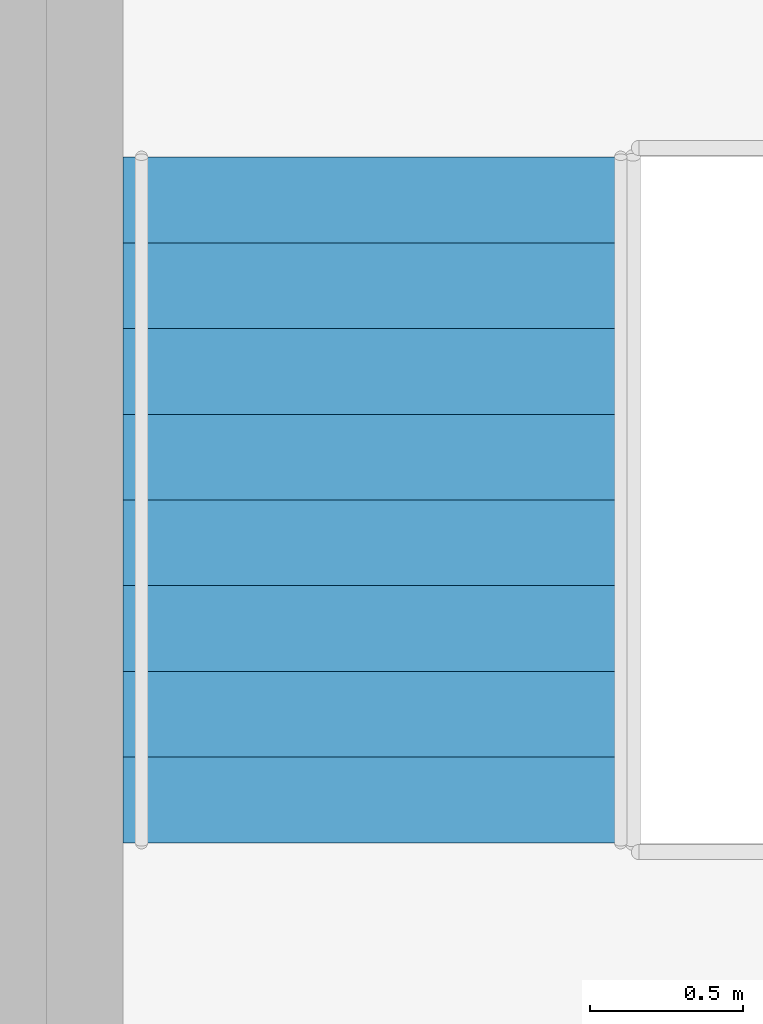
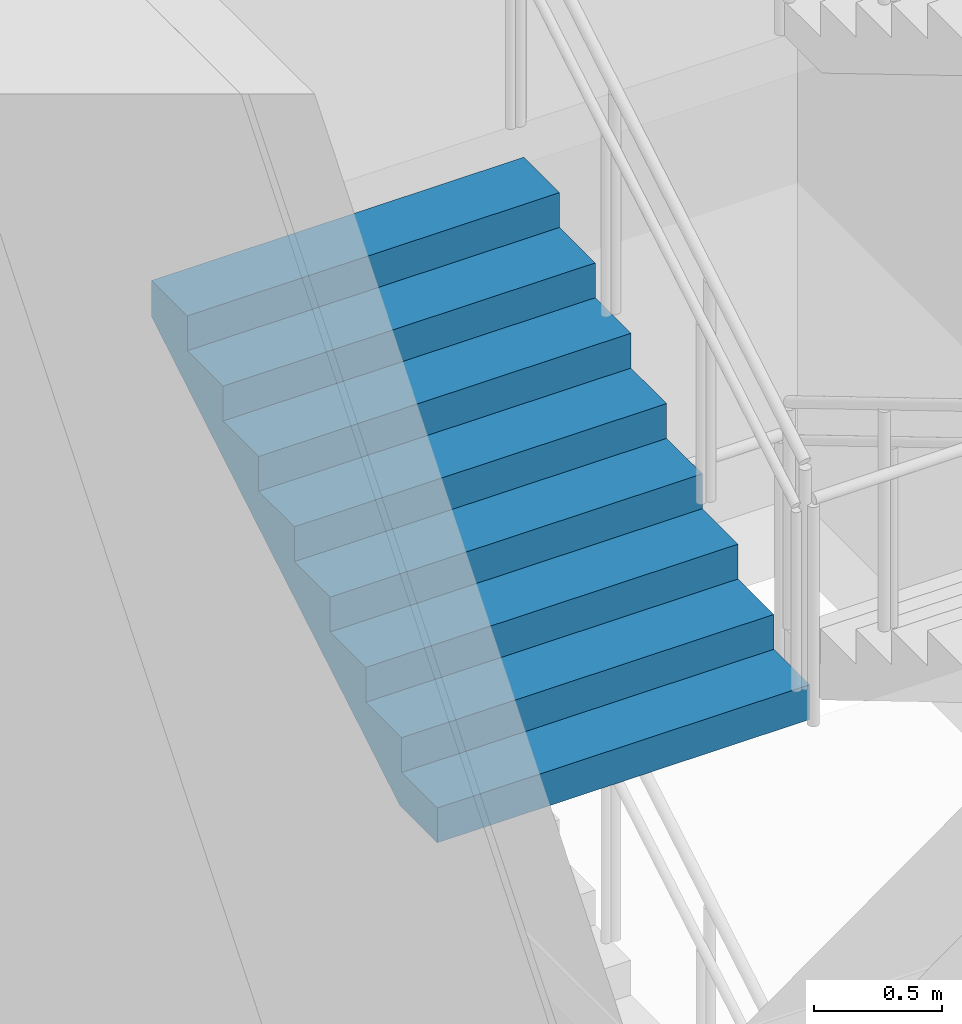
# One storey, part 36 of 57: 1 stair flight, 1 element without a shape of its own.
"""IFC4 building model written with IfcOpenShell, lengths in metres."""

from ifc_helpers import new_model, si_unit, direction, frame, origin, place, context, subcontext, project, spatial, triangles, material, type_object, element, aggregate, save


model = new_model("IFC4")

# Units and contexts
model_context = context("Model", 3, precision=1e-05, world=origin(), true_north=direction((0.0, 1.0)))
body_context = subcontext(model_context, "Body", "Model", "MODEL_VIEW")
ifc_project = project(units=[si_unit("LENGTHUNIT", "METRE"), si_unit("AREAUNIT", "SQUARE_METRE"), si_unit("VOLUMEUNIT", "CUBIC_METRE"), si_unit("PLANEANGLEUNIT", "RADIAN"), si_unit("MASSUNIT", "GRAM", prefix="KILO")], contexts=[model_context])

# Site, building, storey
site_placement = place(None, origin())
site = spatial("IfcSite", under=ifc_project, at=site_placement, CompositionType="ELEMENT")
building_placement = place(site_placement, origin())
building = spatial("IfcBuilding", under=site, at=building_placement, Name="Orbita Commons", CompositionType="ELEMENT")
storey_placement = place(building_placement, origin())
storey = spatial("IfcBuildingStorey", under=building, at=storey_placement, Name="L00", CompositionType="ELEMENT", Elevation=0.0)

# Stair, stair flight
ifc_material_1 = material(Name="Precast concrete C40/50", Category="concrete")
stair_type = type_object("IfcStairType", Name="Podium exit stair 4 flights 9 risers 167", PredefinedType="HALF_TURN_STAIR", material=ifc_material_1)
stair_placement = place(storey_placement, origin())
stair = element("IfcStair", 1, at=stair_placement, inside=storey, type_object=stair_type, Name="Podium exit stair PS2 L00", PredefinedType="HALF_TURN_STAIR")
ifc_material_2 = material(Name="Precast concrete C40/50", Category="concrete")
stair_flight_type = type_object("IfcStairFlightType", Name="Podium stair flight 9 risers 167 x 1685", PredefinedType="STRAIGHT", material=ifc_material_2)
stair_flight_placement = place(storey_placement, frame((73.5673828125, 29.820068359375, 3.0), z_axis=(0.0, 0.0, 1.0), x_axis=(0.0, 1.0, 0.0)))
stair_flight = element("IfcStairFlight", 2, at=stair_flight_placement, type_object=stair_flight_type, Name="PS2 flight 3", NumberOfRisers=9, NumberOfTreads=8, PredefinedType="STRAIGHT", RiserHeight=0.166666667, TreadLength=0.28, context=body_context, shape_type="Tessellation", body=[
    triangles([(0.0, 0.842529, 0.0), (0.0, 0.842529, 0.020833), (0.0, 0.702108, 0.020833), (0.0, 0.702108, 0.0), (0.0, 0.561686, 0.020833), (0.0, 0.561686, 0.0), (0.0, 0.421265, 0.020833), (0.0, 0.421265, 0.0), (0.0, 0.280843, 0.020833), (0.0, 0.280843, 0.0), (0.0, 0.140422, 0.020833), (0.0, 0.140422, 0.0), (0.0, 0.0, 0.020833), (0.0, 0.0, 0.0), (0.0, -0.140422, 0.020833), (0.0, -0.140422, 0.0), (0.0, -0.280843, 0.020833), (0.0, -0.280843, 0.0), (0.0, -0.421265, 0.020833), (0.0, -0.421265, 0.0), (0.0, -0.561686, 0.020833), (0.0, -0.561686, 0.0), (0.0, -0.702108, 0.020833), (0.0, -0.702108, 0.0), (0.0, -0.842529, 0.020833), (0.0, -0.842529, 0.0), (0.0, 0.842529, 0.041667), (0.0, 0.702108, 0.041667), (0.0, 0.561686, 0.041667), (0.0, 0.421265, 0.041667), (0.0, 0.280843, 0.041667), (0.0, 0.140422, 0.041667), (0.0, 0.0, 0.041667), (0.0, -0.140422, 0.041667), (0.0, -0.280843, 0.041667), (0.0, -0.421265, 0.041667), (0.0, -0.561686, 0.041667), (0.0, -0.702108, 0.041667), (0.0, -0.842529, 0.041667), (0.0, 0.842529, 0.0625), (0.0, 0.702108, 0.0625), (0.0, 0.561686, 0.0625), (0.0, 0.421265, 0.0625), (0.0, 0.280843, 0.0625), (0.0, 0.140422, 0.0625), (0.0, 0.0, 0.0625), (0.0, -0.140422, 0.0625), (0.0, -0.280843, 0.0625), (0.0, -0.421265, 0.0625), (0.0, -0.561686, 0.0625), (0.0, -0.702108, 0.0625), (0.0, -0.842529, 0.0625), (0.0, 0.842529, 0.083333), (0.0, 0.702108, 0.083333), (0.0, 0.561686, 0.083333), (0.0, 0.421265, 0.083333), (0.0, 0.280843, 0.083333), (0.0, 0.140422, 0.083333), (0.0, 0.0, 0.083333), (0.0, -0.140422, 0.083333), (0.0, -0.280843, 0.083333), (0.0, -0.421265, 0.083333), (0.0, -0.561686, 0.083333), (0.0, -0.702108, 0.083333), (0.0, -0.842529, 0.083333), (0.0, 0.842529, 0.104167), (0.0, 0.702108, 0.104167), (0.0, 0.561686, 0.104167), (0.0, 0.421265, 0.104167), (0.0, 0.280843, 0.104167), (0.0, 0.140422, 0.104167), (0.0, 0.0, 0.104167), (0.0, -0.140422, 0.104167), (0.0, -0.280843, 0.104167), (0.0, -0.421265, 0.104167), (0.0, -0.561686, 0.104167), (0.0, -0.702108, 0.104167), (0.0, -0.842529, 0.104167), (0.0, 0.842529, 0.125), (0.0, 0.702108, 0.125), (0.0, 0.561686, 0.125), (0.0, 0.421265, 0.125), (0.0, 0.280843, 0.125), (0.0, 0.140422, 0.125), (0.0, 0.0, 0.125), (0.0, -0.140422, 0.125), (0.0, -0.280843, 0.125), (0.0, -0.421265, 0.125), (0.0, -0.561686, 0.125), (0.0, -0.702108, 0.125), (0.0, -0.842529, 0.125), (0.0, 0.842529, 0.145833), (0.0, 0.702108, 0.145833), (0.0, 0.561686, 0.145833), (0.0, 0.421265, 0.145833), (0.0, 0.280843, 0.145833), (0.0, 0.140422, 0.145833), (0.0, 0.0, 0.145833), (0.0, -0.140422, 0.145833), (0.0, -0.280843, 0.145833), (0.0, -0.421265, 0.145833), (0.0, -0.561686, 0.145833), (0.0, -0.702108, 0.145833), (0.0, -0.842529, 0.145833), (0.0, 0.842529, 0.166667), (0.0, 0.702108, 0.166667), (0.0, 0.561686, 0.166667), (0.0, 0.421265, 0.166667), (0.0, 0.280843, 0.166667), (0.0, 0.140422, 0.166667), (0.0, 0.0, 0.166667), (0.0, -0.140422, 0.166667), (0.0, -0.280843, 0.166667), (0.0, -0.421265, 0.166667), (0.0, -0.561686, 0.166667), (0.0, -0.702108, 0.166667), (0.0, -0.842529, 0.166667), (0.28, 0.842529, 0.166667), (0.28, 0.702108, 0.166667), (0.28, 0.561686, 0.166667), (0.28, 0.421265, 0.166667), (0.28, 0.280843, 0.166667), (0.28, 0.140422, 0.166667), (0.28, 0.0, 0.166667), (0.28, -0.140422, 0.166667), (0.28, -0.280843, 0.166667), (0.28, -0.421265, 0.166667), (0.28, -0.561686, 0.166667), (0.28, -0.702108, 0.166667), (0.28, -0.842529, 0.166667), (0.28, 0.842529, 0.333333), (0.28, 0.702108, 0.333333), (0.28, 0.561686, 0.333333), (0.28, 0.421265, 0.333333), (0.28, 0.280843, 0.333333), (0.28, 0.140422, 0.333333), (0.28, 0.0, 0.333333), (0.28, -0.140422, 0.333333), (0.28, -0.280843, 0.333333), (0.28, -0.421265, 0.333333), (0.28, -0.561686, 0.333333), (0.28, -0.702108, 0.333333), (0.28, -0.842529, 0.333333), (0.56, 0.842529, 0.333333), (0.56, 0.702108, 0.333333), (0.56, 0.561686, 0.333333), (0.56, 0.421265, 0.333333), (0.56, 0.280843, 0.333333), (0.56, 0.140422, 0.333333), (0.56, 0.0, 0.333333), (0.56, -0.140422, 0.333333), (0.56, -0.280843, 0.333333), (0.56, -0.421265, 0.333333), (0.56, -0.561686, 0.333333), (0.56, -0.702108, 0.333333), (0.56, -0.842529, 0.333333), (0.56, 0.842529, 0.5), (0.56, 0.702108, 0.5), (0.56, 0.561686, 0.5), (0.56, 0.421265, 0.5), (0.56, 0.280843, 0.5), (0.56, 0.140422, 0.5), (0.56, 0.0, 0.5), (0.56, -0.140422, 0.5), (0.56, -0.280843, 0.5), (0.56, -0.421265, 0.5), (0.56, -0.561686, 0.5), (0.56, -0.702108, 0.5), (0.56, -0.842529, 0.5), (0.84, 0.842529, 0.5), (0.84, 0.702108, 0.5), (0.84, 0.561686, 0.5), (0.84, 0.421265, 0.5), (0.84, 0.280843, 0.5), (0.84, 0.140422, 0.5), (0.84, 0.0, 0.5), (0.84, -0.140422, 0.5), (0.84, -0.280843, 0.5), (0.84, -0.421265, 0.5), (0.84, -0.561686, 0.5), (0.84, -0.702108, 0.5), (0.84, -0.842529, 0.5), (0.84, 0.842529, 0.666667), (0.84, 0.702108, 0.666667), (0.84, 0.561686, 0.666667), (0.84, 0.421265, 0.666667), (0.84, 0.280843, 0.666667), (0.84, 0.140422, 0.666667), (0.84, 0.0, 0.666667), (0.84, -0.140422, 0.666667), (0.84, -0.280843, 0.666667), (0.84, -0.421265, 0.666667), (0.84, -0.561686, 0.666667), (0.84, -0.702108, 0.666667), (0.84, -0.842529, 0.666667), (1.12, 0.842529, 0.666667), (1.12, 0.702108, 0.666667), (1.12, 0.561686, 0.666667), (1.12, 0.421265, 0.666667), (1.12, 0.280843, 0.666667), (1.12, 0.140422, 0.666667), (1.12, 0.0, 0.666667), (1.12, -0.140422, 0.666667), (1.12, -0.280843, 0.666667), (1.12, -0.421265, 0.666667), (1.12, -0.561686, 0.666667), (1.12, -0.702108, 0.666667), (1.12, -0.842529, 0.666667), (1.12, 0.842529, 0.833333), (1.12, 0.702108, 0.833333), (1.12, 0.561686, 0.833333), (1.12, 0.421265, 0.833333), (1.12, 0.280843, 0.833333), (1.12, 0.140422, 0.833333), (1.12, 0.0, 0.833333), (1.12, -0.140422, 0.833333), (1.12, -0.280843, 0.833333), (1.12, -0.421265, 0.833333), (1.12, -0.561686, 0.833333), (1.12, -0.702108, 0.833333), (1.12, -0.842529, 0.833333), (1.4, 0.842529, 0.833333), (1.4, 0.702108, 0.833333), (1.4, 0.561686, 0.833333), (1.4, 0.421265, 0.833333), (1.4, 0.280843, 0.833333), (1.4, 0.140422, 0.833333), (1.4, 0.0, 0.833333), (1.4, -0.140422, 0.833333), (1.4, -0.280843, 0.833333), (1.4, -0.421265, 0.833333), (1.4, -0.561686, 0.833333), (1.4, -0.702108, 0.833333), (1.4, -0.842529, 0.833333), (1.4, 0.842529, 1.0), (1.4, 0.702108, 1.0), (1.4, 0.561686, 1.0), (1.4, 0.421265, 1.0), (1.4, 0.280843, 1.0), (1.4, 0.140422, 1.0), (1.4, 0.0, 1.0), (1.4, -0.140422, 1.0), (1.4, -0.280843, 1.0), (1.4, -0.421265, 1.0), (1.4, -0.561686, 1.0), (1.4, -0.702108, 1.0), (1.4, -0.842529, 1.0), (1.68, 0.842529, 1.0), (1.68, 0.702108, 1.0), (1.68, 0.561686, 1.0), (1.68, 0.421265, 1.0), (1.68, 0.280843, 1.0), (1.68, 0.140422, 1.0), (1.68, 0.0, 1.0), (1.68, -0.140422, 1.0), (1.68, -0.280843, 1.0), (1.68, -0.421265, 1.0), (1.68, -0.561686, 1.0), (1.68, -0.702108, 1.0), (1.68, -0.842529, 1.0), (1.68, 0.842529, 1.166667), (1.68, 0.702108, 1.166667), (1.68, 0.561686, 1.166667), (1.68, 0.421265, 1.166667), (1.68, 0.280843, 1.166667), (1.68, 0.140422, 1.166667), (1.68, 0.0, 1.166667), (1.68, -0.140422, 1.166667), (1.68, -0.280843, 1.166667), (1.68, -0.421265, 1.166667), (1.68, -0.561686, 1.166667), (1.68, -0.702108, 1.166667), (1.68, -0.842529, 1.166667), (1.96, 0.842529, 1.166667), (1.96, 0.702108, 1.166667), (1.96, 0.561686, 1.166667), (1.96, 0.421265, 1.166667), (1.96, 0.280843, 1.166667), (1.96, 0.140422, 1.166667), (1.96, 0.0, 1.166667), (1.96, -0.140422, 1.166667), (1.96, -0.280843, 1.166667), (1.96, -0.421265, 1.166667), (1.96, -0.561686, 1.166667), (1.96, -0.702108, 1.166667), (1.96, -0.842529, 1.166667), (1.96, 0.842529, 1.333333), (1.96, 0.702108, 1.333333), (1.96, 0.561686, 1.333333), (1.96, 0.421265, 1.333333), (1.96, 0.280843, 1.333333), (1.96, 0.140422, 1.333333), (1.96, 0.0, 1.333333), (1.96, -0.140422, 1.333333), (1.96, -0.280843, 1.333333), (1.96, -0.421265, 1.333333), (1.96, -0.561686, 1.333333), (1.96, -0.702108, 1.333333), (1.96, -0.842529, 1.333333), (2.24, 0.842529, 1.333333), (2.24, 0.702108, 1.333333), (2.24, 0.561686, 1.333333), (2.24, 0.421265, 1.333333), (2.24, 0.280843, 1.333333), (2.24, 0.140422, 1.333333), (2.24, 0.0, 1.333333), (2.24, -0.140422, 1.333333), (2.24, -0.280843, 1.333333), (2.24, -0.421265, 1.333333), (2.24, -0.561686, 1.333333), (2.24, -0.702108, 1.333333), (2.24, -0.842529, 1.333333), (2.24, 0.842529, 1.311527), (2.24, 0.702108, 1.311527), (2.24, 0.561686, 1.311527), (2.24, 0.421265, 1.311527), (2.24, 0.280843, 1.311527), (2.24, 0.140422, 1.311527), (2.24, 0.0, 1.311527), (2.24, -0.140422, 1.311527), (2.24, -0.280843, 1.311527), (2.24, -0.421265, 1.311527), (2.24, -0.561686, 1.311527), (2.24, -0.702108, 1.311527), (2.24, -0.842529, 1.311527), (2.24, 0.842529, 1.289721), (2.24, 0.702108, 1.289721), (2.24, 0.561686, 1.289721), (2.24, 0.421265, 1.289721), (2.24, 0.280843, 1.289721), (2.24, 0.140422, 1.289721), (2.24, 0.0, 1.289721), (2.24, -0.140422, 1.289721), (2.24, -0.280843, 1.289721), (2.24, -0.421265, 1.289721), (2.24, -0.561686, 1.289721), (2.24, -0.702108, 1.289721), (2.24, -0.842529, 1.289721), (2.24, 0.842529, 1.267915), (2.24, 0.702108, 1.267915), (2.24, 0.561686, 1.267915), (2.24, 0.421265, 1.267915), (2.24, 0.280843, 1.267915), (2.24, 0.140422, 1.267915), (2.24, 0.0, 1.267915), (2.24, -0.140422, 1.267915), (2.24, -0.280843, 1.267915), (2.24, -0.421265, 1.267915), (2.24, -0.561686, 1.267915), (2.24, -0.702108, 1.267915), (2.24, -0.842529, 1.267915), (2.24, 0.842529, 1.246109), (2.24, 0.702108, 1.246109), (2.24, 0.561686, 1.246109), (2.24, 0.421265, 1.246109), (2.24, 0.280843, 1.246109), (2.24, 0.140422, 1.246109), (2.24, 0.0, 1.246109), (2.24, -0.140422, 1.246109), (2.24, -0.280843, 1.246109), (2.24, -0.421265, 1.246109), (2.24, -0.561686, 1.246109), (2.24, -0.702108, 1.246109), (2.24, -0.842529, 1.246109), (2.24, 0.842529, 1.224303), (2.24, 0.702108, 1.224303), (2.24, 0.561686, 1.224303), (2.24, 0.421265, 1.224303), (2.24, 0.280843, 1.224303), (2.24, 0.140422, 1.224303), (2.24, 0.0, 1.224303), (2.24, -0.140422, 1.224303), (2.24, -0.280843, 1.224303), (2.24, -0.421265, 1.224303), (2.24, -0.561686, 1.224303), (2.24, -0.702108, 1.224303), (2.24, -0.842529, 1.224303), (2.24, 0.842529, 1.202497), (2.24, 0.702108, 1.202497), (2.24, 0.561686, 1.202497), (2.24, 0.421265, 1.202497), (2.24, 0.280843, 1.202497), (2.24, 0.140422, 1.202497), (2.24, 0.0, 1.202497), (2.24, -0.140422, 1.202497), (2.24, -0.280843, 1.202497), (2.24, -0.421265, 1.202497), (2.24, -0.561686, 1.202497), (2.24, -0.702108, 1.202497), (2.24, -0.842529, 1.202497), (2.24, 0.842529, 1.180691), (2.24, 0.702108, 1.180691), (2.24, 0.561686, 1.180691), (2.24, 0.421265, 1.180691), (2.24, 0.280843, 1.180691), (2.24, 0.140422, 1.180691), (2.24, 0.0, 1.180691), (2.24, -0.140422, 1.180691), (2.24, -0.280843, 1.180691), (2.24, -0.421265, 1.180691), (2.24, -0.561686, 1.180691), (2.24, -0.702108, 1.180691), (2.24, -0.842529, 1.180691), (2.24, 0.842529, 1.158885), (2.24, 0.702108, 1.158885), (2.24, 0.561686, 1.158885), (2.24, 0.421265, 1.158885), (2.24, 0.280843, 1.158885), (2.24, 0.140422, 1.158885), (2.24, 0.0, 1.158885), (2.24, -0.140422, 1.158885), (2.24, -0.280843, 1.158885), (2.24, -0.421265, 1.158885), (2.24, -0.561686, 1.158885), (2.24, -0.702108, 1.158885), (2.24, -0.842529, 1.158885), (0.293073, 0.842529, 0.0), (0.293073, 0.702108, 0.0), (0.293073, 0.561686, 0.0), (0.293073, 0.421265, 0.0), (0.293073, 0.280843, 0.0), (0.293073, 0.140422, 0.0), (0.293073, 0.0, 0.0), (0.293073, -0.140422, 0.0), (0.293073, -0.280843, 0.0), (0.293073, -0.421265, 0.0), (0.293073, -0.561686, 0.0), (0.293073, -0.702108, 0.0), (0.293073, -0.842529, 0.0)], [[3, 2, 1], [4, 3, 1], [5, 3, 4], [6, 5, 4], [7, 5, 6], [8, 7, 6], [9, 7, 8], [10, 9, 8], [11, 9, 10], [12, 11, 10], [13, 11, 12], [14, 13, 12], [15, 13, 14], [16, 15, 14], [17, 15, 16], [18, 17, 16], [19, 17, 18], [20, 19, 18], [21, 19, 20], [22, 21, 20], [23, 21, 22], [24, 23, 22], [25, 23, 24], [26, 25, 24], [28, 27, 2], [3, 28, 2], [29, 28, 3], [5, 29, 3], [30, 29, 5], [7, 30, 5], [31, 30, 7], [9, 31, 7], [32, 31, 9], [11, 32, 9], [33, 32, 11], [13, 33, 11], [34, 33, 13], [15, 34, 13], [35, 34, 15], [17, 35, 15], [36, 35, 17], [19, 36, 17], [37, 36, 19], [21, 37, 19], [38, 37, 21], [23, 38, 21], [39, 38, 23], [25, 39, 23], [41, 40, 27], [28, 41, 27], [42, 41, 28], [29, 42, 28], [43, 42, 29], [30, 43, 29], [44, 43, 30], [31, 44, 30], [45, 44, 31], [32, 45, 31], [46, 45, 32], [33, 46, 32], [47, 46, 33], [34, 47, 33], [48, 47, 34], [35, 48, 34], [49, 48, 35], [36, 49, 35], [50, 49, 36], [37, 50, 36], [51, 50, 37], [38, 51, 37], [52, 51, 38], [39, 52, 38], [54, 53, 40], [41, 54, 40], [55, 54, 41], [42, 55, 41], [56, 55, 42], [43, 56, 42], [57, 56, 43], [44, 57, 43], [58, 57, 44], [45, 58, 44], [59, 58, 45], [46, 59, 45], [60, 59, 46], [47, 60, 46], [61, 60, 47], [48, 61, 47], [62, 61, 48], [49, 62, 48], [63, 62, 49], [50, 63, 49], [64, 63, 50], [51, 64, 50], [65, 64, 51], [52, 65, 51], [67, 66, 53], [54, 67, 53], [68, 67, 54], [55, 68, 54], [69, 68, 55], [56, 69, 55], [70, 69, 56], [57, 70, 56], [71, 70, 57], [58, 71, 57], [72, 71, 58], [59, 72, 58], [73, 72, 59], [60, 73, 59], [74, 73, 60], [61, 74, 60], [75, 74, 61], [62, 75, 61], [76, 75, 62], [63, 76, 62], [77, 76, 63], [64, 77, 63], [78, 77, 64], [65, 78, 64], [80, 79, 66], [67, 80, 66], [81, 80, 67], [68, 81, 67], [82, 81, 68], [69, 82, 68], [83, 82, 69], [70, 83, 69], [84, 83, 70], [71, 84, 70], [85, 84, 71], [72, 85, 71], [86, 85, 72], [73, 86, 72], [87, 86, 73], [74, 87, 73], [88, 87, 74], [75, 88, 74], [89, 88, 75], [76, 89, 75], [90, 89, 76], [77, 90, 76], [91, 90, 77], [78, 91, 77], [93, 92, 79], [80, 93, 79], [94, 93, 80], [81, 94, 80], [95, 94, 81], [82, 95, 81], [96, 95, 82], [83, 96, 82], [97, 96, 83], [84, 97, 83], [98, 97, 84], [85, 98, 84], [99, 98, 85], [86, 99, 85], [100, 99, 86], [87, 100, 86], [101, 100, 87], [88, 101, 87], [102, 101, 88], [89, 102, 88], [103, 102, 89], [90, 103, 89], [104, 103, 90], [91, 104, 90], [106, 105, 92], [93, 106, 92], [107, 106, 93], [94, 107, 93], [108, 107, 94], [95, 108, 94], [109, 108, 95], [96, 109, 95], [110, 109, 96], [97, 110, 96], [111, 110, 97], [98, 111, 97], [112, 111, 98], [99, 112, 98], [113, 112, 99], [100, 113, 99], [114, 113, 100], [101, 114, 100], [115, 114, 101], [102, 115, 101], [116, 115, 102], [103, 116, 102], [117, 116, 103], [104, 117, 103], [119, 118, 105], [106, 119, 105], [120, 119, 106], [107, 120, 106], [121, 120, 107], [108, 121, 107], [122, 121, 108], [109, 122, 108], [123, 122, 109], [110, 123, 109], [124, 123, 110], [111, 124, 110], [125, 124, 111], [112, 125, 111], [126, 125, 112], [113, 126, 112], [127, 126, 113], [114, 127, 113], [128, 127, 114], [115, 128, 114], [129, 128, 115], [116, 129, 115], [130, 129, 116], [117, 130, 116], [132, 131, 118], [119, 132, 118], [133, 132, 119], [120, 133, 119], [134, 133, 120], [121, 134, 120], [135, 134, 121], [122, 135, 121], [136, 135, 122], [123, 136, 122], [137, 136, 123], [124, 137, 123], [138, 137, 124], [125, 138, 124], [139, 138, 125], [126, 139, 125], [140, 139, 126], [127, 140, 126], [141, 140, 127], [128, 141, 127], [142, 141, 128], [129, 142, 128], [143, 142, 129], [130, 143, 129], [145, 144, 131], [132, 145, 131], [146, 145, 132], [133, 146, 132], [147, 146, 133], [134, 147, 133], [148, 147, 134], [135, 148, 134], [149, 148, 135], [136, 149, 135], [150, 149, 136], [137, 150, 136], [151, 150, 137], [138, 151, 137], [152, 151, 138], [139, 152, 138], [153, 152, 139], [140, 153, 139], [154, 153, 140], [141, 154, 140], [155, 154, 141], [142, 155, 141], [156, 155, 142], [143, 156, 142], [158, 157, 144], [145, 158, 144], [159, 158, 145], [146, 159, 145], [160, 159, 146], [147, 160, 146], [161, 160, 147], [148, 161, 147], [162, 161, 148], [149, 162, 148], [163, 162, 149], [150, 163, 149], [164, 163, 150], [151, 164, 150], [165, 164, 151], [152, 165, 151], [166, 165, 152], [153, 166, 152], [167, 166, 153], [154, 167, 153], [168, 167, 154], [155, 168, 154], [169, 168, 155], [156, 169, 155], [171, 170, 157], [158, 171, 157], [172, 171, 158], [159, 172, 158], [173, 172, 159], [160, 173, 159], [174, 173, 160], [161, 174, 160], [175, 174, 161], [162, 175, 161], [176, 175, 162], [163, 176, 162], [177, 176, 163], [164, 177, 163], [178, 177, 164], [165, 178, 164], [179, 178, 165], [166, 179, 165], [180, 179, 166], [167, 180, 166], [181, 180, 167], [168, 181, 167], [182, 181, 168], [169, 182, 168], [184, 183, 170], [171, 184, 170], [185, 184, 171], [172, 185, 171], [186, 185, 172], [173, 186, 172], [187, 186, 173], [174, 187, 173], [188, 187, 174], [175, 188, 174], [189, 188, 175], [176, 189, 175], [190, 189, 176], [177, 190, 176], [191, 190, 177], [178, 191, 177], [192, 191, 178], [179, 192, 178], [193, 192, 179], [180, 193, 179], [194, 193, 180], [181, 194, 180], [195, 194, 181], [182, 195, 181], [197, 196, 183], [184, 197, 183], [198, 197, 184], [185, 198, 184], [199, 198, 185], [186, 199, 185], [200, 199, 186], [187, 200, 186], [201, 200, 187], [188, 201, 187], [202, 201, 188], [189, 202, 188], [203, 202, 189], [190, 203, 189], [204, 203, 190], [191, 204, 190], [205, 204, 191], [192, 205, 191], [206, 205, 192], [193, 206, 192], [207, 206, 193], [194, 207, 193], [208, 207, 194], [195, 208, 194], [210, 209, 196], [197, 210, 196], [211, 210, 197], [198, 211, 197], [212, 211, 198], [199, 212, 198], [213, 212, 199], [200, 213, 199], [214, 213, 200], [201, 214, 200], [215, 214, 201], [202, 215, 201], [216, 215, 202], [203, 216, 202], [217, 216, 203], [204, 217, 203], [218, 217, 204], [205, 218, 204], [219, 218, 205], [206, 219, 205], [220, 219, 206], [207, 220, 206], [221, 220, 207], [208, 221, 207], [223, 222, 209], [210, 223, 209], [224, 223, 210], [211, 224, 210], [225, 224, 211], [212, 225, 211], [226, 225, 212], [213, 226, 212], [227, 226, 213], [214, 227, 213], [228, 227, 214], [215, 228, 214], [229, 228, 215], [216, 229, 215], [230, 229, 216], [217, 230, 216], [231, 230, 217], [218, 231, 217], [232, 231, 218], [219, 232, 218], [233, 232, 219], [220, 233, 219], [234, 233, 220], [221, 234, 220], [236, 235, 222], [223, 236, 222], [237, 236, 223], [224, 237, 223], [238, 237, 224], [225, 238, 224], [239, 238, 225], [226, 239, 225], [240, 239, 226], [227, 240, 226], [241, 240, 227], [228, 241, 227], [242, 241, 228], [229, 242, 228], [243, 242, 229], [230, 243, 229], [244, 243, 230], [231, 244, 230], [245, 244, 231], [232, 245, 231], [246, 245, 232], [233, 246, 232], [247, 246, 233], [234, 247, 233], [249, 248, 235], [236, 249, 235], [250, 249, 236], [237, 250, 236], [251, 250, 237], [238, 251, 237], [252, 251, 238], [239, 252, 238], [253, 252, 239], [240, 253, 239], [254, 253, 240], [241, 254, 240], [255, 254, 241], [242, 255, 241], [256, 255, 242], [243, 256, 242], [257, 256, 243], [244, 257, 243], [258, 257, 244], [245, 258, 244], [259, 258, 245], [246, 259, 245], [260, 259, 246], [247, 260, 246], [262, 261, 248], [249, 262, 248], [263, 262, 249], [250, 263, 249], [264, 263, 250], [251, 264, 250], [265, 264, 251], [252, 265, 251], [266, 265, 252], [253, 266, 252], [267, 266, 253], [254, 267, 253], [268, 267, 254], [255, 268, 254], [269, 268, 255], [256, 269, 255], [270, 269, 256], [257, 270, 256], [271, 270, 257], [258, 271, 257], [272, 271, 258], [259, 272, 258], [273, 272, 259], [260, 273, 259], [275, 274, 261], [262, 275, 261], [276, 275, 262], [263, 276, 262], [277, 276, 263], [264, 277, 263], [278, 277, 264], [265, 278, 264], [279, 278, 265], [266, 279, 265], [280, 279, 266], [267, 280, 266], [281, 280, 267], [268, 281, 267], [282, 281, 268], [269, 282, 268], [283, 282, 269], [270, 283, 269], [284, 283, 270], [271, 284, 270], [285, 284, 271], [272, 285, 271], [286, 285, 272], [273, 286, 272], [288, 287, 274], [275, 288, 274], [289, 288, 275], [276, 289, 275], [290, 289, 276], [277, 290, 276], [291, 290, 277], [278, 291, 277], [292, 291, 278], [279, 292, 278], [293, 292, 279], [280, 293, 279], [294, 293, 280], [281, 294, 280], [295, 294, 281], [282, 295, 281], [296, 295, 282], [283, 296, 282], [297, 296, 283], [284, 297, 283], [298, 297, 284], [285, 298, 284], [299, 298, 285], [286, 299, 285], [301, 300, 287], [288, 301, 287], [302, 301, 288], [289, 302, 288], [303, 302, 289], [290, 303, 289], [304, 303, 290], [291, 304, 290], [305, 304, 291], [292, 305, 291], [306, 305, 292], [293, 306, 292], [307, 306, 293], [294, 307, 293], [308, 307, 294], [295, 308, 294], [309, 308, 295], [296, 309, 295], [310, 309, 296], [297, 310, 296], [311, 310, 297], [298, 311, 297], [312, 311, 298], [299, 312, 298], [314, 313, 300], [301, 314, 300], [315, 314, 301], [302, 315, 301], [316, 315, 302], [303, 316, 302], [317, 316, 303], [304, 317, 303], [318, 317, 304], [305, 318, 304], [319, 318, 305], [306, 319, 305], [320, 319, 306], [307, 320, 306], [321, 320, 307], [308, 321, 307], [322, 321, 308], [309, 322, 308], [323, 322, 309], [310, 323, 309], [324, 323, 310], [311, 324, 310], [325, 324, 311], [312, 325, 311], [327, 326, 313], [314, 327, 313], [328, 327, 314], [315, 328, 314], [329, 328, 315], [316, 329, 315], [330, 329, 316], [317, 330, 316], [331, 330, 317], [318, 331, 317], [332, 331, 318], [319, 332, 318], [333, 332, 319], [320, 333, 319], [334, 333, 320], [321, 334, 320], [335, 334, 321], [322, 335, 321], [336, 335, 322], [323, 336, 322], [337, 336, 323], [324, 337, 323], [338, 337, 324], [325, 338, 324], [340, 339, 326], [327, 340, 326], [341, 340, 327], [328, 341, 327], [342, 341, 328], [329, 342, 328], [343, 342, 329], [330, 343, 329], [344, 343, 330], [331, 344, 330], [345, 344, 331], [332, 345, 331], [346, 345, 332], [333, 346, 332], [347, 346, 333], [334, 347, 333], [348, 347, 334], [335, 348, 334], [349, 348, 335], [336, 349, 335], [350, 349, 336], [337, 350, 336], [351, 350, 337], [338, 351, 337], [353, 352, 339], [340, 353, 339], [354, 353, 340], [341, 354, 340], [355, 354, 341], [342, 355, 341], [356, 355, 342], [343, 356, 342], [357, 356, 343], [344, 357, 343], [358, 357, 344], [345, 358, 344], [359, 358, 345], [346, 359, 345], [360, 359, 346], [347, 360, 346], [361, 360, 347], [348, 361, 347], [362, 361, 348], [349, 362, 348], [363, 362, 349], [350, 363, 349], [364, 363, 350], [351, 364, 350], [366, 365, 352], [353, 366, 352], [367, 366, 353], [354, 367, 353], [368, 367, 354], [355, 368, 354], [369, 368, 355], [356, 369, 355], [370, 369, 356], [357, 370, 356], [371, 370, 357], [358, 371, 357], [372, 371, 358], [359, 372, 358], [373, 372, 359], [360, 373, 359], [374, 373, 360], [361, 374, 360], [375, 374, 361], [362, 375, 361], [376, 375, 362], [363, 376, 362], [377, 376, 363], [364, 377, 363], [379, 378, 365], [366, 379, 365], [380, 379, 366], [367, 380, 366], [381, 380, 367], [368, 381, 367], [382, 381, 368], [369, 382, 368], [383, 382, 369], [370, 383, 369], [384, 383, 370], [371, 384, 370], [385, 384, 371], [372, 385, 371], [386, 385, 372], [373, 386, 372], [387, 386, 373], [374, 387, 373], [388, 387, 374], [375, 388, 374], [389, 388, 375], [376, 389, 375], [390, 389, 376], [377, 390, 376], [392, 391, 378], [379, 392, 378], [393, 392, 379], [380, 393, 379], [394, 393, 380], [381, 394, 380], [395, 394, 381], [382, 395, 381], [396, 395, 382], [383, 396, 382], [397, 396, 383], [384, 397, 383], [398, 397, 384], [385, 398, 384], [399, 398, 385], [386, 399, 385], [400, 399, 386], [387, 400, 386], [401, 400, 387], [388, 401, 387], [402, 401, 388], [389, 402, 388], [403, 402, 389], [390, 403, 389], [405, 404, 391], [392, 405, 391], [406, 405, 392], [393, 406, 392], [407, 406, 393], [394, 407, 393], [408, 407, 394], [395, 408, 394], [409, 408, 395], [396, 409, 395], [410, 409, 396], [397, 410, 396], [411, 410, 397], [398, 411, 397], [412, 411, 398], [399, 412, 398], [413, 412, 399], [400, 413, 399], [414, 413, 400], [401, 414, 400], [415, 414, 401], [402, 415, 401], [416, 415, 402], [403, 416, 402], [418, 417, 404], [405, 418, 404], [419, 418, 405], [406, 419, 405], [420, 419, 406], [407, 420, 406], [421, 420, 407], [408, 421, 407], [422, 421, 408], [409, 422, 408], [423, 422, 409], [410, 423, 409], [424, 423, 410], [411, 424, 410], [425, 424, 411], [412, 425, 411], [426, 425, 412], [413, 426, 412], [427, 426, 413], [414, 427, 413], [428, 427, 414], [415, 428, 414], [429, 428, 415], [416, 429, 415], [4, 1, 417], [418, 4, 417], [6, 4, 418], [419, 6, 418], [8, 6, 419], [420, 8, 419], [10, 8, 420], [421, 10, 420], [12, 10, 421], [422, 12, 421], [14, 12, 422], [423, 14, 422], [16, 14, 423], [424, 16, 423], [18, 16, 424], [425, 18, 424], [20, 18, 425], [426, 20, 425], [22, 20, 426], [427, 22, 426], [24, 22, 427], [428, 24, 427], [26, 24, 428], [429, 26, 428], [404, 417, 1], [26, 429, 416], [391, 404, 1], [26, 416, 403], [378, 391, 1], [26, 403, 390], [365, 378, 1], [26, 390, 377], [352, 365, 1], [26, 377, 364], [339, 352, 1], [26, 364, 351], [326, 339, 1], [26, 351, 338], [313, 326, 1], [26, 338, 325], [287, 300, 313], [325, 312, 299], [274, 287, 313], [325, 299, 286], [248, 261, 274], [286, 273, 260], [248, 274, 313], [325, 286, 260], [222, 235, 248], [260, 247, 234], [222, 248, 313], [325, 260, 234], [196, 209, 222], [234, 221, 208], [196, 222, 313], [325, 234, 208], [170, 183, 196], [208, 195, 182], [170, 196, 313], [325, 208, 182], [144, 157, 170], [182, 169, 156], [144, 170, 313], [325, 182, 156], [118, 131, 144], [156, 143, 130], [118, 144, 313], [325, 156, 130], [118, 313, 1], [26, 325, 130], [92, 105, 118], [130, 117, 104], [79, 92, 118], [130, 104, 91], [66, 79, 118], [130, 91, 78], [53, 66, 118], [130, 78, 65], [40, 53, 118], [130, 65, 52], [27, 40, 118], [130, 52, 39], [2, 27, 118], [130, 39, 25], [1, 2, 118], [130, 25, 26]], closed=True),
])
aggregate(stair, [stair_flight])

save(model, "model.ifc")
